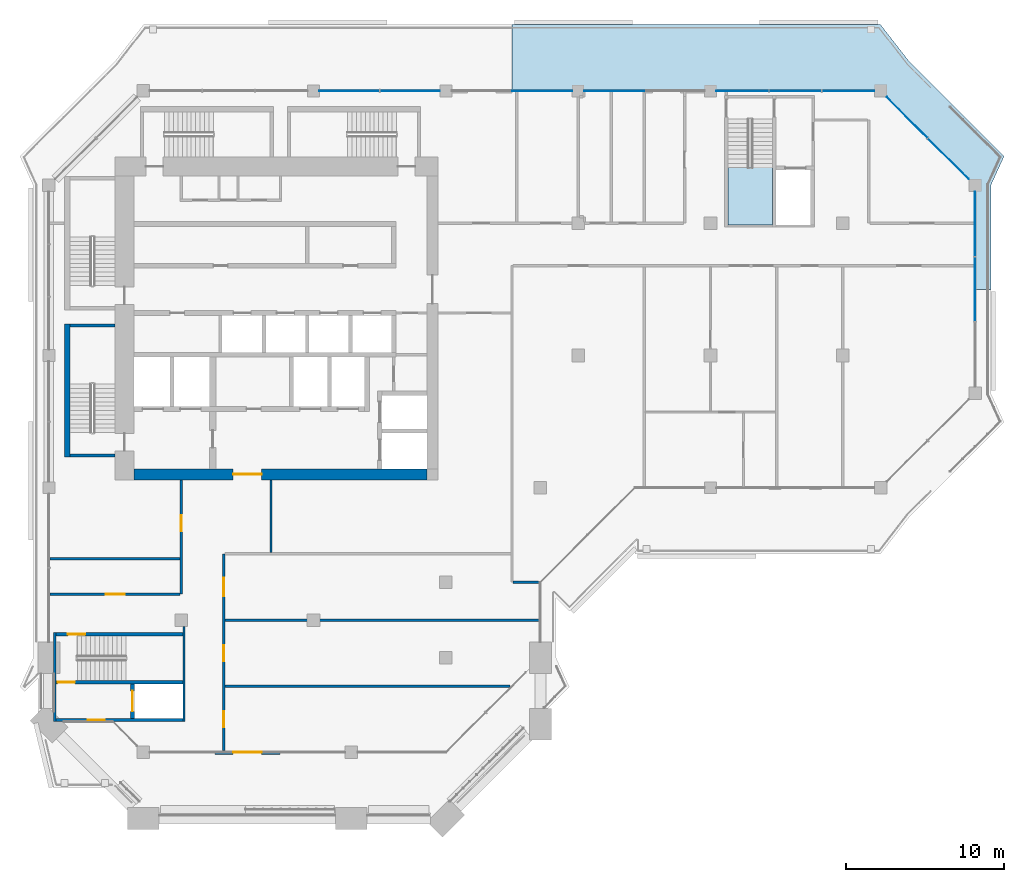
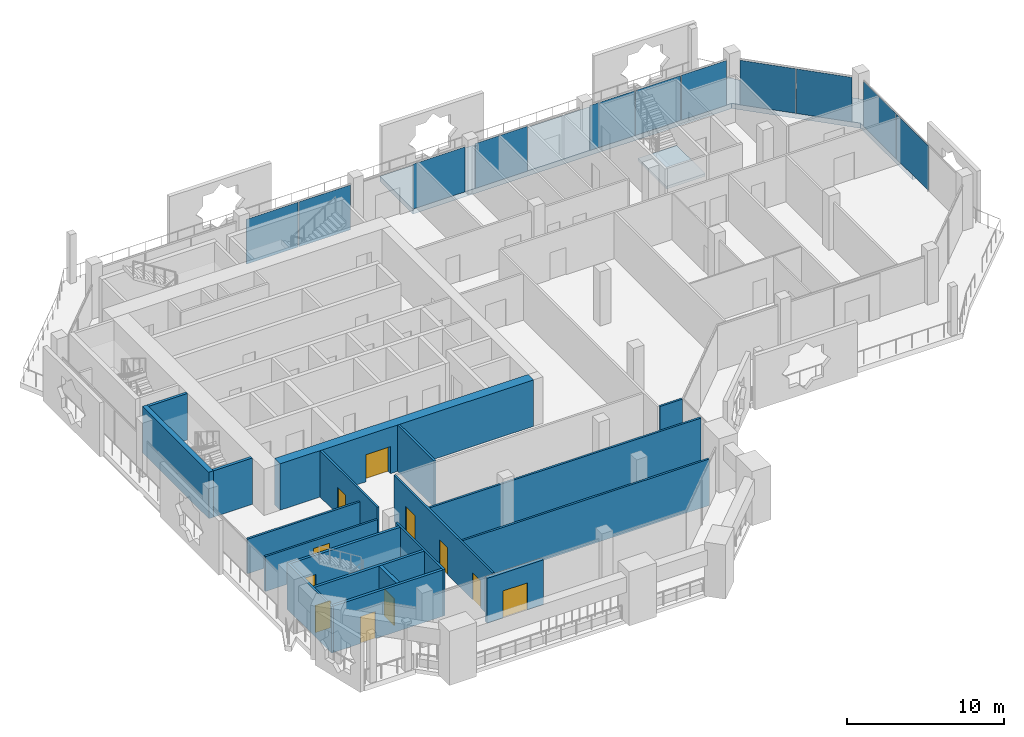
# One storey, part 10 of 20: 19 walls, 11 doors, 11 plates, 2 slabs, 11 openings, 4 elements without a shape of their own.
"""IFC4 building model written with IfcOpenShell, lengths in metres."""

from ifc_helpers import new_model, si_unit, direction, frame, frame_2d, origin, origin_2d, place, context, subcontext, project, spatial, polyline, rectangle, outline, extrude, material, layer, layer_set, type_object, element, fill, aggregate, save


model = new_model("IFC4")

# Units and contexts
model_context = context("Model", 3, precision=1e-05, world=origin(), true_north=direction((0.0, 1.0)))
body_context = subcontext(model_context, "Body", "Model", "MODEL_VIEW")
ifc_project = project(units=[si_unit("LENGTHUNIT", "METRE"), si_unit("AREAUNIT", "SQUARE_METRE"), si_unit("VOLUMEUNIT", "CUBIC_METRE"), si_unit("PLANEANGLEUNIT", "RADIAN"), si_unit("MASSUNIT", "GRAM", prefix="KILO")], contexts=[model_context])

# Site, building, storey
site_placement = place(None, origin())
site = spatial("IfcSite", under=ifc_project, at=site_placement, CompositionType="ELEMENT")
building_placement = place(site_placement, origin())
building = spatial("IfcBuilding", under=site, at=building_placement, Name="Kawkab Arch Medical Tower", CompositionType="ELEMENT")
storey_placement = place(building_placement, frame((0.0, 0.0, 290.199951171875)))
storey = spatial("IfcBuildingStorey", under=building, at=storey_placement, Name="L67", CompositionType="ELEMENT", Elevation=290.199951171875)

# Curtain wall, plates
ifc_material_1 = material(Name="Bronze anodised aluminium curtain wall frame", Category="aluminium")
ifc_layer_1 = layer(ifc_material_1, 0.159912109375)
ifc_layer_set_1 = layer_set([ifc_layer_1], Name="Bronze anodised aluminium curtain wall frame")
curtain_wall_type_1 = type_object("IfcCurtainWallType", Name="CW1 ward curtain wall", PredefinedType="NOTDEFINED", material=ifc_layer_set_1)
placement = place(storey_placement, origin())
curtain_wall_1 = element("IfcCurtainWall", 1, at=placement, inside=storey, type_object=curtain_wall_type_1, Name="CW1 Ward curtain wall R13", PredefinedType="NOTDEFINED")
ifc_material_2 = material(Name="Tinted insulating glass, bronze low-e coating", Category="glass")
ifc_layer_2 = layer(ifc_material_2, 0.031982421875)
ifc_layer_set_2 = layer_set([ifc_layer_2], Name="Tinted insulating glass, bronze low-e coating")
plate_type_1 = type_object("IfcPlateType", Name="CW1 glazing unit 32", PredefinedType="CURTAIN_PANEL", material=ifc_layer_set_2)
plate_1_placement = place(storey_placement, frame((58.800048828125, -12.60009765625, 0.0), z_axis=(0.0, 0.0, 1.0), x_axis=(0.0, 1.0, 0.0)))
plate_1 = element("IfcPlate", 2, at=plate_1_placement, type_object=plate_type_1, Name="CW1 glazing unit 1.2", PredefinedType="CURTAIN_PANEL", context=body_context, shape_type="SweptSolid", body=[
    extrude(rectangle(XDim=4.0732421875, YDim=0.031982421875, at=origin_2d()), origin(), (0.0, 0.0, 1.0), 3.47998046875),
])
plate_2_placement = place(storey_placement, frame((58.800048828125, -8.45166015625, 0.0), z_axis=(0.0, 0.0, 1.0), x_axis=(0.0, 1.0, 0.0)))
plate_2 = element("IfcPlate", 3, at=plate_2_placement, type_object=plate_type_1, Name="CW1 glazing unit 1.3", PredefinedType="CURTAIN_PANEL", context=body_context, shape_type="SweptSolid", body=[
    extrude(rectangle(XDim=4.103271484375, YDim=0.031982421875, at=origin_2d()), origin(), (0.0, 0.0, 1.0), 3.47998046875),
])
aggregate(curtain_wall_1, [plate_1, plate_2])

curtain_wall_2 = element("IfcCurtainWall", 4, at=placement, inside=storey, type_object=curtain_wall_type_1, Name="CW1 Ward curtain wall R15", PredefinedType="NOTDEFINED")
plate_3_placement = place(storey_placement, frame((50.744140625, 0.0, 0.0), z_axis=(0.0, 0.0, 1.0), x_axis=(-1.0, 0.0, 0.0)))
plate_3 = element("IfcPlate", 5, at=plate_3_placement, type_object=plate_type_1, Name="CW1 glazing unit 1.1", PredefinedType="CURTAIN_PANEL", context=body_context, shape_type="SweptSolid", body=[
    extrude(rectangle(XDim=3.311767578125, YDim=0.031982421875, at=origin_2d()), origin(), (0.0, 0.0, 1.0), 3.47998046875),
])
plate_4_placement = place(storey_placement, frame((47.387451171875, 0.0, 0.0), z_axis=(0.0, 0.0, 1.0), x_axis=(-1.0, 0.0, 0.0)))
plate_4 = element("IfcPlate", 6, at=plate_4_placement, type_object=plate_type_1, Name="CW1 glazing unit 1.2", PredefinedType="CURTAIN_PANEL", context=body_context, shape_type="SweptSolid", body=[
    extrude(rectangle(XDim=3.28173828125, YDim=0.031982421875, at=origin_2d()), origin(), (0.0, 0.0, 1.0), 3.47998046875),
])
plate_5_placement = place(storey_placement, frame((44.03076171875, 0.0, 0.0), z_axis=(0.0, 0.0, 1.0), x_axis=(-1.0, 0.0, 0.0)))
plate_5 = element("IfcPlate", 7, at=plate_5_placement, type_object=plate_type_1, Name="CW1 glazing unit 1.3", PredefinedType="CURTAIN_PANEL", context=body_context, shape_type="SweptSolid", body=[
    extrude(rectangle(XDim=3.311767578125, YDim=0.031982421875, at=origin_2d()), origin(), (0.0, 0.0, 1.0), 3.47998046875),
])
plate_6_placement = place(storey_placement, frame((35.887451171875, 0.0, 0.0), z_axis=(0.0, 0.0, 1.0), x_axis=(-1.0, 0.0, 0.0)))
plate_6 = element("IfcPlate", 8, at=plate_6_placement, type_object=plate_type_1, Name="CW1 glazing unit 2.2", PredefinedType="CURTAIN_PANEL", context=body_context, shape_type="SweptSolid", body=[
    extrude(rectangle(XDim=3.824951171875, YDim=0.031982421875, at=origin_2d()), origin(), (0.0, 0.0, 1.0), 3.47998046875),
])
plate_7_placement = place(storey_placement, frame((31.3125, 0.0, 0.0), z_axis=(0.0, 0.0, 1.0), x_axis=(-1.0, 0.0, 0.0)))
plate_7 = element("IfcPlate", 9, at=plate_7_placement, type_object=plate_type_1, Name="CW1 glazing unit 3.1", PredefinedType="CURTAIN_PANEL", context=body_context, shape_type="SweptSolid", body=[
    extrude(rectangle(XDim=3.824951171875, YDim=0.031982421875, at=origin_2d()), origin(), (0.0, 0.0, 1.0), 3.47998046875),
])
plate_8_placement = place(storey_placement, frame((22.927490234375, 0.0, 0.0), z_axis=(0.0, 0.0, 1.0), x_axis=(-1.0, 0.0, 0.0)))
plate_8 = element("IfcPlate", 10, at=plate_8_placement, type_object=plate_type_1, Name="CW1 glazing unit 4.1", PredefinedType="CURTAIN_PANEL", context=body_context, shape_type="SweptSolid", body=[
    extrude(rectangle(XDim=3.794921875, YDim=0.031982421875, at=origin_2d()), origin(), (0.0, 0.0, 1.0), 3.47998046875),
])
plate_9_placement = place(storey_placement, frame((19.072509765625, 0.0, 0.0), z_axis=(0.0, 0.0, 1.0), x_axis=(-1.0, 0.0, 0.0)))
plate_9 = element("IfcPlate", 11, at=plate_9_placement, type_object=plate_type_1, Name="CW1 glazing unit 4.2", PredefinedType="CURTAIN_PANEL", context=body_context, shape_type="SweptSolid", body=[
    extrude(rectangle(XDim=3.794921875, YDim=0.031982421875, at=origin_2d()), origin(), (0.0, 0.0, 1.0), 3.47998046875),
])
aggregate(curtain_wall_2, [plate_3, plate_4, plate_5, plate_6, plate_7, plate_8, plate_9])

ifc_material_3 = material(Name="Bronze anodised aluminium curtain wall frame", Category="aluminium")
ifc_layer_3 = layer(ifc_material_3, 0.159912109375)
ifc_layer_set_3 = layer_set([ifc_layer_3], Name="Bronze anodised aluminium curtain wall frame")
curtain_wall_type_2 = type_object("IfcCurtainWallType", Name="CW2 chamfer curtain wall", PredefinedType="NOTDEFINED", material=ifc_layer_set_3)
curtain_wall_3 = element("IfcCurtainWall", 12, at=placement, inside=storey, type_object=curtain_wall_type_2, Name="CW2 Chamfer curtain wall R14", PredefinedType="NOTDEFINED")
ifc_material_4 = material(Name="Tinted insulating glass, bronze low-e coating", Category="glass")
ifc_layer_4 = layer(ifc_material_4, 0.031982421875)
ifc_layer_set_4 = layer_set([ifc_layer_4], Name="Tinted insulating glass, bronze low-e coating")
plate_type_2 = type_object("IfcPlateType", Name="CW2 glazing unit 32", PredefinedType="CURTAIN_PANEL", material=ifc_layer_set_4)
plate_10_placement = place(storey_placement, frame((57.110595703125, -4.310546875, 0.0), z_axis=(0.0, 0.0, 1.0), x_axis=(-0.707106781187, 0.707106781187, 0.0)))
plate_10 = element("IfcPlate", 13, at=plate_10_placement, type_object=plate_type_2, Name="CW2 glazing unit 1.1", PredefinedType="CURTAIN_PANEL", context=body_context, shape_type="SweptSolid", body=[
    extrude(rectangle(XDim=3.64697265625, YDim=0.031982421875, at=origin_2d()), origin(), (0.0, 0.0, 1.0), 3.4599609375),
])
plate_11_placement = place(storey_placement, frame((54.489501953125, -1.689453125, 0.0), z_axis=(0.0, 0.0, 1.0), x_axis=(-0.707106781187, 0.707106781187, 0.0)))
plate_11 = element("IfcPlate", 14, at=plate_11_placement, type_object=plate_type_2, Name="CW2 glazing unit 1.2", PredefinedType="CURTAIN_PANEL", context=body_context, shape_type="SweptSolid", body=[
    extrude(rectangle(XDim=3.64697265625, YDim=0.031982421875, at=origin_2d()), origin(), (0.0, 0.0, 1.0), 3.4599609375),
])
aggregate(curtain_wall_3, [plate_10, plate_11])

# Stair, slab
ifc_material_5 = material(Name="Concrete C40/50", Category="concrete")
stair_type = type_object("IfcStairType", Name="Exit stair 1350", PredefinedType="HALF_TURN_STAIR", material=ifc_material_5)
stair = element("IfcStair", 15, at=placement, inside=storey, type_object=stair_type, Name="L67 Exit stair ST5", PredefinedType="HALF_TURN_STAIR")
ifc_material_6 = material(Name="Concrete C40/50", Category="concrete")
ifc_layer_5 = layer(ifc_material_6, 0.199951171875)
ifc_layer_set_5 = layer_set([ifc_layer_5], Name="Concrete C40/50")
slab_type_1 = type_object("IfcSlabType", Name="Exit stair landing 200", PredefinedType="LANDING", material=ifc_layer_set_5)
slab_1_placement = place(storey_placement, frame((0.0, 0.0, 1.900146484375)))
slab_1 = element("IfcSlab", 16, at=slab_1_placement, type_object=slab_type_1, Name="ST5 landing 1", PredefinedType="LANDING", context=body_context, shape_type="SweptSolid", body=[
    extrude(outline(polyline([(43.10009765625, -4.8798828125), (43.10009765625, -8.5), (45.949951171875, -8.5), (45.949951171875, -4.8798828125), (43.10009765625, -4.8798828125)])), origin(), (0.0, 0.0, 1.0), 0.199951171875),
])
aggregate(stair, [slab_1])

# Slab
ifc_material_7 = material(Name="Concrete C40/50", Category="concrete")
ifc_layer_6 = layer(ifc_material_7, 0.39990234375)
ifc_layer_set_6 = layer_set([ifc_layer_6], Name="Concrete C40/50")
slab_type_2 = type_object("IfcSlabType", Name="Loggia slab 400", PredefinedType="FLOOR", material=ifc_layer_set_6)
slab_2_placement = place(storey_placement, frame((0.0, 0.0, -0.39990234375)))
element("IfcSlab", 17, at=slab_2_placement, inside=storey, type_object=slab_type_2, Name="Loggia slab L67.3", PredefinedType="FLOOR", context=body_context, shape_type="SweptSolid", body=[
    extrude(outline(polyline([(54.637939453125, 1.837890625), (60.637939453125, -4.162109375), (59.800048828125, -6.0), (59.800048828125, -12.60009765625), (58.800048828125, -12.60009765625), (58.800048828125, -6.0), (52.800048828125, 0.0), (52.800048828125, 0.0009765625), (29.39990234375, 0.0009765625), (29.39990234375, 4.199951171875), (52.800048828125, 4.199951171875), (54.637939453125, 1.837890625)])), origin(), (0.0, 0.0, 1.0), 0.39990234375),
])

# Wall, opening, door
ifc_material_8 = material(Name="Concrete C50/60", Category="concrete")
ifc_layer_7 = layer(ifc_material_8, 0.699951171875)
ifc_layer_set_7 = layer_set([ifc_layer_7], Name="Concrete C50/60")
wall_type_1 = type_object("IfcWallType", Name="Core ring wall 700 C50/60", PredefinedType="SHEAR", material=ifc_layer_set_7)
wall_1_placement = place(storey_placement, frame((5.39990234375, -24.35009765625, 0.0), z_axis=(0.0, 0.0, 1.0), x_axis=(1.0, 0.0, 0.0)))
wall_1 = element("IfcWall", 18, at=wall_1_placement, inside=storey, type_object=wall_type_1, Name="L67 core wall", PredefinedType="SHEAR", context=body_context, shape_type="SweptSolid", body=[
    extrude(rectangle(XDim=18.60009765625, YDim=0.699951171875, at=frame_2d((9.300048828125, 0.0))), origin(), (0.0, 0.0, 1.0), 3.60009765625),
])
opening_1_placement = place(wall_1_placement, frame((6.300048828125, 0.0, 0.0)))
opening_1 = element("IfcOpeningElement", 19, at=opening_1_placement, cuts=wall_1, Name="Opening PD", PredefinedType="OPENING", context=body_context, shape_type="SweptSolid", body=[
    extrude(rectangle(XDim=1.800048828125, YDim=2.10009765625, at=frame_2d((0.89990234375, 1.050048828125))), frame((0.0, 0.35986328125, 0.0), z_axis=(0.0, -1.0, 0.0), x_axis=(1.0, 0.0, 0.0)), (0.0, 0.0, 1.0), 0.719970703125),
])
ifc_material_9 = material(Name="Hollow metal fire door leaf")
door_type_1 = type_object("IfcDoorType", Name="Core entrance doors 1800", OperationType="DOUBLE_DOOR_SINGLE_SWING", PredefinedType="DOOR", material=ifc_material_9)
door_1_placement = place(opening_1_placement, origin())
door_1 = element("IfcDoor", 20, at=door_1_placement, inside=storey, type_object=door_type_1, Name="L67 South entrance doors", OperationType="DOUBLE_DOOR_SINGLE_SWING", OverallHeight=2.10009765625, OverallWidth=1.800048828125, PredefinedType="DOOR", context=body_context, shape_type="SweptSolid", body=[
    extrude(rectangle(XDim=1.800048828125, YDim=2.10009765625, at=frame_2d((0.89990234375, 1.050048828125))), frame((0.0, 0.02490234375, 0.0), z_axis=(0.0, -1.0, 0.0), x_axis=(1.0, 0.0, 0.0)), (0.0, 0.0, 1.0), 0.050048828125),
])
fill(opening_1, door_1)

ifc_material_10 = material(Name="Concrete C60/75", Category="concrete")
ifc_layer_8 = layer(ifc_material_10, 0.25)
ifc_layer_set_8 = layer_set([ifc_layer_8], Name="Concrete C60/75")
wall_type_2 = type_object("IfcWallType", Name="Core shear wall 250 C60/75", PredefinedType="SHEAR", material=ifc_layer_set_8)
wall_2_placement = place(storey_placement, frame((5.300048828125, -39.85009765625, 0.0), z_axis=(0.0, 0.0, 1.0), x_axis=(0.0, 1.0, 0.0)))
wall_2 = element("IfcWall", 21, at=wall_2_placement, inside=storey, type_object=wall_type_2, Name="L67 core shear wall", PredefinedType="SHEAR", context=body_context, shape_type="SweptSolid", body=[
    extrude(rectangle(XDim=2.2001953125, YDim=0.25, at=frame_2d((1.10009765625, 0.0))), origin(), (0.0, 0.0, 1.0), 3.60009765625),
])
opening_2_placement = place(wall_2_placement, frame((0.449951171875, 0.0, 0.0)))
opening_2 = element("IfcOpeningElement", 22, at=opening_2_placement, cuts=wall_2, Name="Opening LD2", PredefinedType="OPENING", context=body_context, shape_type="SweptSolid", body=[
    extrude(rectangle(XDim=1.300048828125, YDim=2.10009765625, at=frame_2d((0.64990234375, 1.050048828125))), frame((0.0, 0.135009765625, 0.0), z_axis=(0.0, -1.0, 0.0), x_axis=(1.0, 0.0, 0.0)), (0.0, 0.0, 1.0), 0.27001953125),
])
ifc_material_11 = material(Name="Stainless steel lift door leaf", Category="steel")
door_type_2 = type_object("IfcDoorType", Name="Lift landing door 1300", OperationType="DOUBLE_DOOR_SLIDING", PredefinedType="DOOR", material=ifc_material_11)
door_2_placement = place(opening_2_placement, origin())
door_2 = element("IfcDoor", 23, at=door_2_placement, inside=storey, type_object=door_type_2, Name="L67 Lift landing door SV2", OperationType="DOUBLE_DOOR_SLIDING", OverallHeight=2.10009765625, OverallWidth=1.300048828125, PredefinedType="DOOR", context=body_context, shape_type="SweptSolid", body=[
    extrude(rectangle(XDim=1.300048828125, YDim=2.10009765625, at=frame_2d((0.64990234375, 1.050048828125))), frame((0.0, 0.02490234375, 0.0), z_axis=(0.0, -1.0, 0.0), x_axis=(1.0, 0.0, 0.0)), (0.0, 0.0, 1.0), 0.050048828125),
])
fill(opening_2, door_2)

ifc_material_12 = material(Name="Bronze clad insulated wall panel")
ifc_layer_9 = layer(ifc_material_12, 0.25)
ifc_layer_set_9 = layer_set([ifc_layer_9], Name="Bronze clad insulated wall panel")
wall_type_3 = type_object("IfcWallType", Name="External wall bay 250", PredefinedType="SOLIDWALL", material=ifc_layer_set_9)
wall_3_placement = place(storey_placement, frame((10.533447265625, -42.0, 0.0), z_axis=(0.0, 0.0, 1.0), x_axis=(1.0, 0.0, 0.0)))
wall_3 = element("IfcWall", 24, at=wall_3_placement, inside=storey, type_object=wall_type_3, Name="External wall bay L67.R07.1.2", PredefinedType="SOLIDWALL", context=body_context, shape_type="SweptSolid", body=[
    extrude(rectangle(XDim=4.13330078125, YDim=0.25, at=frame_2d((2.066650390625, 0.0))), origin(), (0.0, 0.0, 1.0), 3.47998046875),
])
opening_3_placement = place(wall_3_placement, frame((1.166748046875, 0.0, 0.0)))
opening_3 = element("IfcOpeningElement", 25, at=opening_3_placement, cuts=wall_3, Name="Opening W67-701", PredefinedType="OPENING", context=body_context, shape_type="SweptSolid", body=[
    extrude(rectangle(XDim=1.800048828125, YDim=2.10009765625, at=frame_2d((0.89990234375, 1.050048828125))), frame((0.0, 0.135009765625, 0.0), z_axis=(0.0, -1.0, 0.0), x_axis=(1.0, 0.0, 0.0)), (0.0, 0.0, 1.0), 0.27001953125),
])
ifc_material_13 = material(Name="Bronze anodised aluminium door with tinted glass", Category="aluminium")
door_type_3 = type_object("IfcDoorType", Name="Double external door 1800 x 2100", OperationType="DOUBLE_DOOR_SINGLE_SWING", PredefinedType="DOOR", material=ifc_material_13)
door_3_placement = place(opening_3_placement, origin())
door_3 = element("IfcDoor", 26, at=door_3_placement, inside=storey, type_object=door_type_3, Name="External door L67.R07.1.2", OperationType="DOUBLE_DOOR_SINGLE_SWING", OverallHeight=2.10009765625, OverallWidth=1.800048828125, PredefinedType="DOOR", context=body_context, shape_type="SweptSolid", body=[
    extrude(rectangle(XDim=1.800048828125, YDim=2.10009765625, at=frame_2d((0.89990234375, 1.050048828125))), frame((0.0, 0.02490234375, 0.0), z_axis=(0.0, -1.0, 0.0), x_axis=(1.0, 0.0, 0.0)), (0.0, 0.0, 1.0), 0.050048828125),
])
fill(opening_3, door_3)

# Walls
ifc_material_14 = material(Name="Gypsum board partition on steel studs, mineral wool", Category="steel")
ifc_layer_10 = layer(ifc_material_14, 0.14990234375)
ifc_layer_set_10 = layer_set([ifc_layer_10], Name="Gypsum board partition on steel studs, mineral wool")
wall_type_4 = type_object("IfcWallType", Name="Partition 150", PredefinedType="PARTITIONING", material=ifc_layer_set_10)
wall_4_placement = place(storey_placement, frame((11.175048828125, -37.800048828125, 0.0), z_axis=(0.0, 0.0, 1.0), x_axis=(1.0, 0.0, 0.0)))
element("IfcWall", 27, at=wall_4_placement, inside=storey, type_object=wall_type_4, Name="Partition 150 w004", PredefinedType="PARTITIONING", context=body_context, shape_type="SweptSolid", body=[
    extrude(rectangle(XDim=18.112060546875, YDim=0.14990234375, at=frame_2d((9.05615234375, 0.0))), origin(), (0.0, 0.0, 1.0), 3.60009765625),
])
wall_5_placement = place(storey_placement, frame((11.175048828125, -33.60009765625, 0.0), z_axis=(0.0, 0.0, 1.0), x_axis=(1.0, 0.0, 0.0)))
element("IfcWall", 28, at=wall_5_placement, inside=storey, type_object=wall_type_4, Name="Partition 150 w005", PredefinedType="PARTITIONING", context=body_context, shape_type="SweptSolid", body=[
    extrude(rectangle(XDim=19.945068359375, YDim=0.14990234375, at=frame_2d((9.97265625, 0.0))), origin(), (0.0, 0.0, 1.0), 3.60009765625),
])

# Wall, opening, door
wall_6_placement = place(storey_placement, frame((0.080078125, -31.95703125, 0.0), z_axis=(0.0, 0.0, 1.0), x_axis=(1.0, 0.0, 0.0)))
wall_6 = element("IfcWall", 29, at=wall_6_placement, inside=storey, type_object=wall_type_4, Name="Partition 150 w006", PredefinedType="PARTITIONING", context=body_context, shape_type="SweptSolid", body=[
    extrude(rectangle(XDim=8.244873046875, YDim=0.14990234375, at=frame_2d((4.12255859375, 0.0))), origin(), (0.0, 0.0, 1.0), 2.699951171875),
])
opening_4_placement = place(wall_6_placement, frame((3.52001953125, 0.0, 0.0)))
opening_4 = element("IfcOpeningElement", 30, at=opening_4_placement, cuts=wall_6, Name="Opening W67-019", PredefinedType="OPENING", context=body_context, shape_type="SweptSolid", body=[
    extrude(rectangle(XDim=1.199951171875, YDim=2.10009765625, at=frame_2d((0.60009765625, 1.050048828125))), frame((0.0, 0.0849609375, 0.0), z_axis=(0.0, -1.0, 0.0), x_axis=(1.0, 0.0, 0.0)), (0.0, 0.0, 1.0), 0.169921875),
])
ifc_material_15 = material(Name="Hollow metal door leaf")
door_type_4 = type_object("IfcDoorType", Name="Single door 1200x2100 FD30S", OperationType="NOTDEFINED", PredefinedType="DOOR", material=ifc_material_15)
door_4_placement = place(opening_4_placement, origin())
door_4 = element("IfcDoor", 31, at=door_4_placement, inside=storey, type_object=door_type_4, Name="Door W67-019", OperationType="SINGLE_SWING_RIGHT", OverallHeight=2.10009765625, OverallWidth=1.199951171875, PredefinedType="DOOR", context=body_context, shape_type="SweptSolid", body=[
    extrude(rectangle(XDim=1.199951171875, YDim=2.10009765625, at=frame_2d((0.60009765625, 1.050048828125))), frame((0.0, 0.02490234375, 0.0), z_axis=(0.0, -1.0, 0.0), x_axis=(1.0, 0.0, 0.0)), (0.0, 0.0, 1.0), 0.050048828125),
])
fill(opening_4, door_4)

# Walls
wall_7_placement = place(storey_placement, frame((29.47705078125, -31.199951171875, 0.0), z_axis=(0.0, 0.0, 1.0), x_axis=(1.0, 0.0, 0.0)))
element("IfcWall", 32, at=wall_7_placement, inside=storey, type_object=wall_type_4, Name="Partition 150 w007", PredefinedType="PARTITIONING", context=body_context, shape_type="SweptSolid", body=[
    extrude(rectangle(XDim=1.64306640625, YDim=0.14990234375, at=frame_2d((0.821533203125, 0.0))), origin(), (0.0, 0.0, 1.0), 3.60009765625),
])
wall_8_placement = place(storey_placement, frame((0.080078125, -29.699951171875, 0.0), z_axis=(0.0, 0.0, 1.0), x_axis=(1.0, 0.0, 0.0)))
element("IfcWall", 33, at=wall_8_placement, inside=storey, type_object=wall_type_4, Name="Partition 150 w008", PredefinedType="PARTITIONING", context=body_context, shape_type="SweptSolid", body=[
    extrude(rectangle(XDim=8.244873046875, YDim=0.14990234375, at=frame_2d((4.12255859375, 0.0))), origin(), (0.0, 0.0, 1.0), 2.699951171875),
])

# Wall, opening, door
wall_9_placement = place(storey_placement, frame((8.39990234375, -31.95703125, 0.0), z_axis=(0.0, 0.0, 1.0), x_axis=(0.0, 1.0, 0.0)))
wall_9 = element("IfcWall", 34, at=wall_9_placement, inside=storey, type_object=wall_type_4, Name="Partition 150 w018", PredefinedType="PARTITIONING", context=body_context, shape_type="SweptSolid", body=[
    extrude(rectangle(XDim=7.257080078125, YDim=0.14990234375, at=frame_2d((3.62841796875, 0.0))), origin(), (0.0, 0.0, 1.0), 3.60009765625),
])
opening_5_placement = place(wall_9_placement, frame((4.007080078125, 0.0, 0.0)))
opening_5 = element("IfcOpeningElement", 35, at=opening_5_placement, cuts=wall_9, Name="Opening W67-011", PredefinedType="OPENING", context=body_context, shape_type="SweptSolid", body=[
    extrude(rectangle(XDim=1.0, YDim=2.10009765625, at=frame_2d((0.5, 1.050048828125))), frame((0.0, 0.0849609375, 0.0), z_axis=(0.0, -1.0, 0.0), x_axis=(1.0, 0.0, 0.0)), (0.0, 0.0, 1.0), 0.169921875),
])
ifc_material_16 = material(Name="Hollow metal door leaf")
door_type_5 = type_object("IfcDoorType", Name="Single door 1000x2100 FD30S", OperationType="NOTDEFINED", PredefinedType="DOOR", material=ifc_material_16)
door_5_placement = place(opening_5_placement, origin())
door_5 = element("IfcDoor", 36, at=door_5_placement, inside=storey, type_object=door_type_5, Name="Door W67-011", OperationType="SINGLE_SWING_RIGHT", OverallHeight=2.10009765625, OverallWidth=1.0, PredefinedType="DOOR", context=body_context, shape_type="SweptSolid", body=[
    extrude(rectangle(XDim=1.0, YDim=2.10009765625, at=frame_2d((0.5, 1.050048828125))), frame((0.0, 0.02490234375, 0.0), z_axis=(0.0, -1.0, 0.0), x_axis=(1.0, 0.0, 0.0)), (0.0, 0.0, 1.0), 0.050048828125),
])
fill(opening_5, door_5)

# Wall, openings, doors
wall_10_placement = place(storey_placement, frame((11.10009765625, -41.919921875, 0.0), z_axis=(0.0, 0.0, 1.0), x_axis=(0.0, 1.0, 0.0)))
wall_10 = element("IfcWall", 37, at=wall_10_placement, inside=storey, type_object=wall_type_4, Name="Partition 150 w019", PredefinedType="PARTITIONING", context=body_context, shape_type="SweptSolid", body=[
    extrude(rectangle(XDim=12.52001953125, YDim=0.14990234375, at=frame_2d((6.260009765625, 0.0))), origin(), (0.0, 0.0, 1.0), 3.60009765625),
])
opening_6_placement = place(wall_10_placement, frame((9.820068359375, 0.0, 0.0)))
opening_6 = element("IfcOpeningElement", 38, at=opening_6_placement, cuts=wall_10, Name="Opening W67-020", PredefinedType="OPENING", context=body_context, shape_type="SweptSolid", body=[
    extrude(rectangle(XDim=1.199951171875, YDim=2.10009765625, at=frame_2d((0.60009765625, 1.050048828125))), frame((0.0, 0.0849609375, 0.0), z_axis=(0.0, -1.0, 0.0), x_axis=(1.0, 0.0, 0.0)), (0.0, 0.0, 1.0), 0.169921875),
])
opening_7_placement = place(wall_10_placement, frame((5.719970703125, 0.0, 0.0)))
opening_7 = element("IfcOpeningElement", 39, at=opening_7_placement, cuts=wall_10, Name="Opening W67-012", PredefinedType="OPENING", context=body_context, shape_type="SweptSolid", body=[
    extrude(rectangle(XDim=1.0, YDim=2.10009765625, at=frame_2d((0.5, 1.050048828125))), frame((0.0, 0.0849609375, 0.0), z_axis=(0.0, -1.0, 0.0), x_axis=(1.0, 0.0, 0.0)), (0.0, 0.0, 1.0), 0.169921875),
])
opening_8_placement = place(wall_10_placement, frame((1.52001953125, 0.0, 0.0)))
opening_8 = element("IfcOpeningElement", 40, at=opening_8_placement, cuts=wall_10, Name="Opening W67-013", PredefinedType="OPENING", context=body_context, shape_type="SweptSolid", body=[
    extrude(rectangle(XDim=1.0, YDim=2.10009765625, at=frame_2d((0.5, 1.050048828125))), frame((0.0, 0.0849609375, 0.0), z_axis=(0.0, -1.0, 0.0), x_axis=(1.0, 0.0, 0.0)), (0.0, 0.0, 1.0), 0.169921875),
])
door_6_placement = place(opening_7_placement, origin())
door_6 = element("IfcDoor", 41, at=door_6_placement, inside=storey, type_object=door_type_5, Name="Door W67-012", OperationType="SINGLE_SWING_LEFT", OverallHeight=2.10009765625, OverallWidth=1.0, PredefinedType="DOOR", context=body_context, shape_type="SweptSolid", body=[
    extrude(rectangle(XDim=1.0, YDim=2.10009765625, at=frame_2d((0.5, 1.050048828125))), frame((0.0, 0.02490234375, 0.0), z_axis=(0.0, -1.0, 0.0), x_axis=(1.0, 0.0, 0.0)), (0.0, 0.0, 1.0), 0.050048828125),
])
fill(opening_7, door_6)
door_7_placement = place(opening_8_placement, origin())
door_7 = element("IfcDoor", 42, at=door_7_placement, inside=storey, type_object=door_type_5, Name="Door W67-013", OperationType="SINGLE_SWING_RIGHT", OverallHeight=2.10009765625, OverallWidth=1.0, PredefinedType="DOOR", context=body_context, shape_type="SweptSolid", body=[
    extrude(rectangle(XDim=1.0, YDim=2.10009765625, at=frame_2d((0.5, 1.050048828125))), frame((0.0, 0.02490234375, 0.0), z_axis=(0.0, -1.0, 0.0), x_axis=(1.0, 0.0, 0.0)), (0.0, 0.0, 1.0), 0.050048828125),
])
fill(opening_8, door_7)
door_8_placement = place(opening_6_placement, origin())
door_8 = element("IfcDoor", 43, at=door_8_placement, inside=storey, type_object=door_type_4, Name="Door W67-020", OperationType="SINGLE_SWING_LEFT", OverallHeight=2.10009765625, OverallWidth=1.199951171875, PredefinedType="DOOR", context=body_context, shape_type="SweptSolid", body=[
    extrude(rectangle(XDim=1.199951171875, YDim=2.10009765625, at=frame_2d((0.60009765625, 1.050048828125))), frame((0.0, 0.02490234375, 0.0), z_axis=(0.0, -1.0, 0.0), x_axis=(1.0, 0.0, 0.0)), (0.0, 0.0, 1.0), 0.050048828125),
])
fill(opening_6, door_8)

# Walls
wall_11_placement = place(storey_placement, frame((14.10009765625, -29.324951171875, 0.0), z_axis=(0.0, 0.0, 1.0), x_axis=(0.0, 1.0, 0.0)))
element("IfcWall", 44, at=wall_11_placement, inside=storey, type_object=wall_type_4, Name="Partition 150 w020", PredefinedType="PARTITIONING", context=body_context, shape_type="SweptSolid", body=[
    extrude(rectangle(XDim=4.625, YDim=0.14990234375, at=frame_2d((2.3125, 0.0))), origin(), (0.0, 0.0, 1.0), 3.60009765625),
])
ifc_material_17 = material(Name="Concrete C50/60", Category="concrete")
ifc_layer_11 = layer(ifc_material_17, 0.14990234375)
ifc_layer_set_11 = layer_set([ifc_layer_11], Name="Concrete C50/60")
wall_type_5 = type_object("IfcWallType", Name="Stair enclosure wall 150 C50/60", PredefinedType="SHEAR", material=ifc_layer_set_11)
wall_12_placement = place(storey_placement, frame((0.375, -40.050048828125, 0.0), z_axis=(0.0, 0.0, 1.0), x_axis=(0.0, 1.0, 0.0)))
element("IfcWall", 45, at=wall_12_placement, inside=storey, type_object=wall_type_5, Name="L67 stair enclosure wall", PredefinedType="SHEAR", context=body_context, shape_type="SweptSolid", body=[
    extrude(rectangle(XDim=5.650146484375, YDim=0.14990234375, at=frame_2d((2.8251953125, 0.0))), origin(), (0.0, 0.0, 1.0), 3.60009765625),
])
wall_13_placement = place(storey_placement, frame((8.574951171875, -40.050048828125, 0.0), z_axis=(0.0, 0.0, 1.0), x_axis=(0.0, 1.0, 0.0)))
element("IfcWall", 46, at=wall_13_placement, inside=storey, type_object=wall_type_5, Name="L67 stair enclosure wall", PredefinedType="SHEAR", context=body_context, shape_type="SweptSolid", body=[
    extrude(rectangle(XDim=6.050048828125, YDim=0.14990234375, at=frame_2d((3.02490234375, 0.0))), origin(), (0.0, 0.0, 1.0), 3.60009765625),
])
ifc_material_18 = material(Name="Concrete C50/60", Category="concrete")
ifc_layer_12 = layer(ifc_material_18, 0.199951171875)
ifc_layer_set_12 = layer_set([ifc_layer_12], Name="Concrete C50/60")
wall_type_6 = type_object("IfcWallType", Name="Stair enclosure wall 200 C50/60", PredefinedType="SHEAR", material=ifc_layer_set_12)
for number, where, z_axis, x_axis, name in (
    (47, (1.35009765625, -14.89990234375, 0.0), (0.0, 0.0, 1.0), (1.0, 0.0, 0.0), "L67 stair enclosure wall"),
    (48, (1.35009765625, -23.14990234375, 0.0), (0.0, 0.0, 1.0), (1.0, 0.0, 0.0), "L67 stair enclosure wall"),
):
    element("IfcWall", number, at=place(storey_placement, frame(where, z_axis=z_axis, x_axis=x_axis)), inside=storey, type_object=wall_type_6, Name=name, PredefinedType="SHEAR", context=body_context, shape_type="SweptSolid", body=[
        extrude(rectangle(XDim=2.849853515625, YDim=0.199951171875, at=frame_2d((1.4248046875, 0.0))), origin(), (0.0, 0.0, 1.0), 3.60009765625),
    ])

# Wall, opening, door
wall_14_placement = place(storey_placement, frame((0.449951171875, -34.5, 0.0), z_axis=(0.0, 0.0, 1.0), x_axis=(1.0, 0.0, 0.0)))
wall_14 = element("IfcWall", 49, at=wall_14_placement, inside=storey, type_object=wall_type_6, Name="L67 stair enclosure wall", PredefinedType="SHEAR", context=body_context, shape_type="SweptSolid", body=[
    extrude(rectangle(XDim=8.050048828125, YDim=0.199951171875, at=frame_2d((4.02490234375, 0.0))), origin(), (0.0, 0.0, 1.0), 3.60009765625),
])
opening_9_placement = place(wall_14_placement, frame((0.75, 0.0, 0.0)))
opening_9 = element("IfcOpeningElement", 50, at=opening_9_placement, cuts=wall_14, Name="Opening SD", PredefinedType="OPENING", context=body_context, shape_type="SweptSolid", body=[
    extrude(rectangle(XDim=1.10009765625, YDim=2.10009765625, at=frame_2d((0.550048828125, 1.050048828125))), frame((0.0, 0.10986328125, 0.0), z_axis=(0.0, -1.0, 0.0), x_axis=(1.0, 0.0, 0.0)), (0.0, 0.0, 1.0), 0.219970703125),
])
ifc_material_19 = material(Name="Hollow metal fire door leaf")
door_type_6 = type_object("IfcDoorType", Name="Exit stair door 1100", OperationType="SINGLE_SWING_LEFT", PredefinedType="DOOR", material=ifc_material_19)
door_9_placement = place(opening_9_placement, origin())
door_9 = element("IfcDoor", 51, at=door_9_placement, inside=storey, type_object=door_type_6, Name="L67 Exit stair ST6 door", OperationType="SINGLE_SWING_LEFT", OverallHeight=2.10009765625, OverallWidth=1.10009765625, PredefinedType="DOOR", context=body_context, shape_type="SweptSolid", body=[
    extrude(rectangle(XDim=1.10009765625, YDim=2.10009765625, at=frame_2d((0.550048828125, 1.050048828125))), frame((0.0, 0.02490234375, 0.0), z_axis=(0.0, -1.0, 0.0), x_axis=(1.0, 0.0, 0.0)), (0.0, 0.0, 1.0), 0.050048828125),
])
fill(opening_9, door_9)

wall_15_placement = place(storey_placement, frame((0.449951171875, -37.550048828125, 0.0), z_axis=(0.0, 0.0, 1.0), x_axis=(1.0, 0.0, 0.0)))
wall_15 = element("IfcWall", 52, at=wall_15_placement, inside=storey, type_object=wall_type_6, Name="L67 stair enclosure wall", PredefinedType="SHEAR", context=body_context, shape_type="SweptSolid", body=[
    extrude(rectangle(XDim=8.050048828125, YDim=0.199951171875, at=frame_2d((4.02490234375, 0.0))), origin(), (0.0, 0.0, 1.0), 3.60009765625),
])
opening_10_placement = place(wall_15_placement, frame((0.10009765625, 0.0, 0.0)))
opening_10 = element("IfcOpeningElement", 53, at=opening_10_placement, cuts=wall_15, Name="Opening SD", PredefinedType="OPENING", context=body_context, shape_type="SweptSolid", body=[
    extrude(rectangle(XDim=1.10009765625, YDim=2.10009765625, at=frame_2d((0.550048828125, 1.050048828125))), frame((0.0, 0.10986328125, 0.0), z_axis=(0.0, -1.0, 0.0), x_axis=(1.0, 0.0, 0.0)), (0.0, 0.0, 1.0), 0.219970703125),
])
door_10_placement = place(opening_10_placement, frame((1.10009765625, 0.0, 0.0), z_axis=(0.0, 0.0, 1.0), x_axis=(-1.0, 0.0, 0.0)))
door_10 = element("IfcDoor", 54, at=door_10_placement, inside=storey, type_object=door_type_6, Name="L67 Exit stair ST6 lobby door", OperationType="SINGLE_SWING_LEFT", OverallHeight=2.10009765625, OverallWidth=1.10009765625, PredefinedType="DOOR", context=body_context, shape_type="SweptSolid", body=[
    extrude(rectangle(XDim=1.10009765625, YDim=2.10009765625, at=frame_2d((0.550048828125, 1.050048828125))), frame((0.0, 0.02490234375, 0.0), z_axis=(0.0, -1.0, 0.0), x_axis=(1.0, 0.0, 0.0)), (0.0, 0.0, 1.0), 0.050048828125),
])
fill(opening_10, door_10)

wall_16_placement = place(storey_placement, frame((0.449951171875, -39.949951171875, 0.0), z_axis=(0.0, 0.0, 1.0), x_axis=(1.0, 0.0, 0.0)))
wall_16 = element("IfcWall", 55, at=wall_16_placement, inside=storey, type_object=wall_type_6, Name="L67 stair enclosure wall", PredefinedType="SHEAR", context=body_context, shape_type="SweptSolid", body=[
    extrude(rectangle(XDim=8.050048828125, YDim=0.199951171875, at=frame_2d((4.02490234375, 0.0))), origin(), (0.0, 0.0, 1.0), 3.60009765625),
])
opening_11_placement = place(wall_16_placement, frame((2.0, 0.0, 0.0)))
opening_11 = element("IfcOpeningElement", 56, at=opening_11_placement, cuts=wall_16, Name="Opening FD", PredefinedType="OPENING", context=body_context, shape_type="SweptSolid", body=[
    extrude(rectangle(XDim=1.10009765625, YDim=2.10009765625, at=frame_2d((0.550048828125, 1.050048828125))), frame((0.0, 0.10986328125, 0.0), z_axis=(0.0, -1.0, 0.0), x_axis=(1.0, 0.0, 0.0)), (0.0, 0.0, 1.0), 0.219970703125),
])
ifc_material_20 = material(Name="Hollow metal fire door leaf")
door_type_7 = type_object("IfcDoorType", Name="Firefighting lobby door 1100", OperationType="SINGLE_SWING_LEFT", PredefinedType="DOOR", material=ifc_material_20)
door_11_placement = place(opening_11_placement, origin())
door_11 = element("IfcDoor", 57, at=door_11_placement, inside=storey, type_object=door_type_7, Name="L67 Service lift lobby door SV2", OperationType="SINGLE_SWING_LEFT", OverallHeight=2.10009765625, OverallWidth=1.10009765625, PredefinedType="DOOR", context=body_context, shape_type="SweptSolid", body=[
    extrude(rectangle(XDim=1.10009765625, YDim=2.10009765625, at=frame_2d((0.550048828125, 1.050048828125))), frame((0.0, 0.02490234375, 0.0), z_axis=(0.0, -1.0, 0.0), x_axis=(1.0, 0.0, 0.0)), (0.0, 0.0, 1.0), 0.050048828125),
])
fill(opening_11, door_11)

# Wall
ifc_material_21 = material(Name="Concrete C50/60", Category="concrete")
ifc_layer_13 = layer(ifc_material_21, 0.35009765625)
ifc_layer_set_13 = layer_set([ifc_layer_13], Name="Concrete C50/60")
wall_type_7 = type_object("IfcWallType", Name="Stair enclosure wall 350 C50/60", PredefinedType="SHEAR", material=ifc_layer_set_13)
wall_17_placement = place(storey_placement, frame((1.175048828125, -23.25, 0.0), z_axis=(0.0, 0.0, 1.0), x_axis=(0.0, 1.0, 0.0)))
element("IfcWall", 58, at=wall_17_placement, inside=storey, type_object=wall_type_7, Name="L67 stair enclosure wall", PredefinedType="SHEAR", context=body_context, shape_type="SweptSolid", body=[
    extrude(rectangle(XDim=8.449951171875, YDim=0.35009765625, at=frame_2d((4.22509765625, 0.0))), origin(), (0.0, 0.0, 1.0), 3.60009765625),
])

save(model, "model.ifc")
